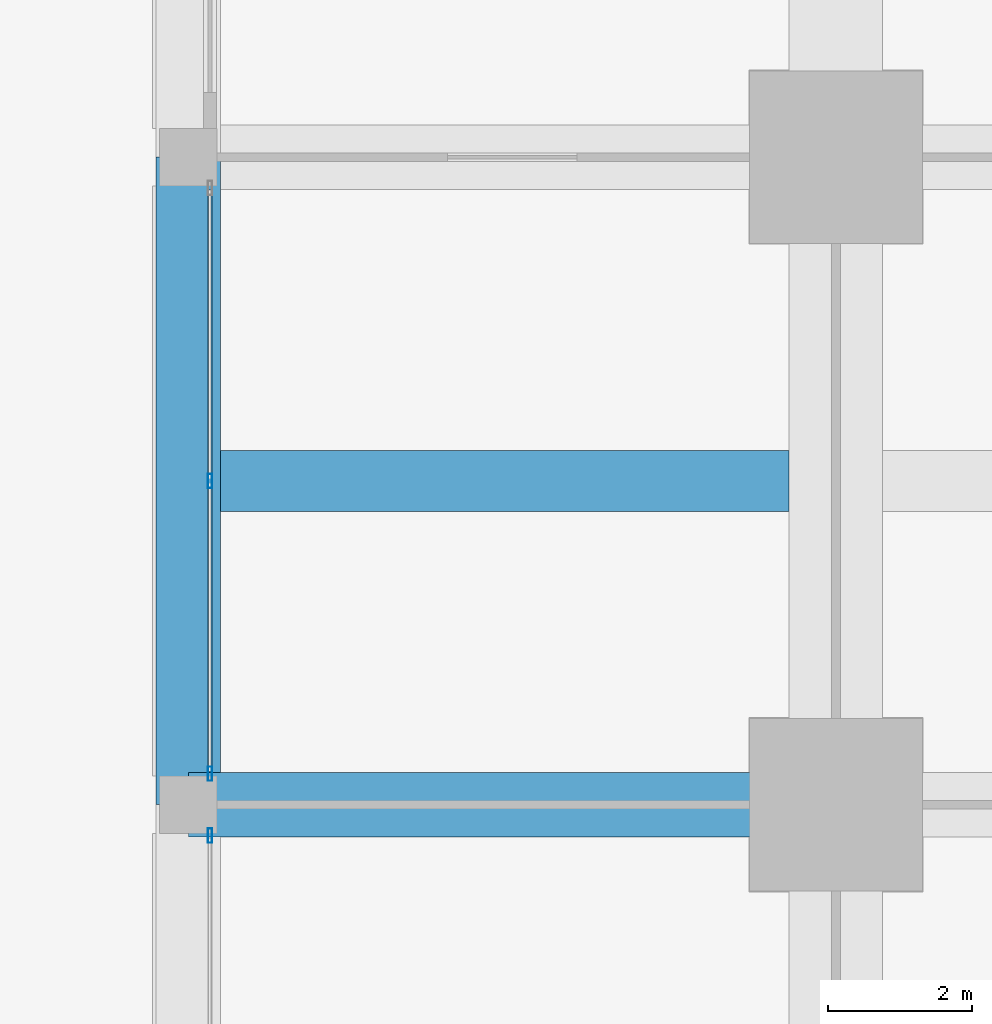
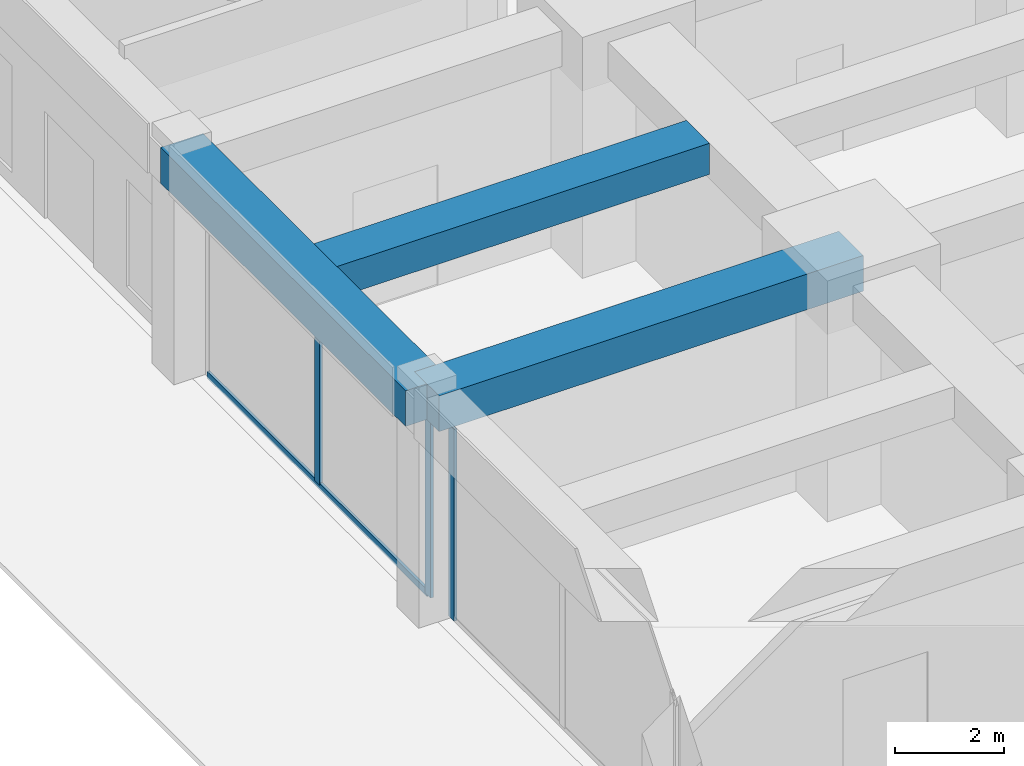
# One storey, part 11 of 56: 4 members, 3 beams, 2 elements without a shape of their own.
"""IFC4 building model written with IfcOpenShell, lengths in metres."""

import ifcopenshell
import ifcopenshell.guid

model = None  # the IFC model being written
_history = None  # IfcOwnerHistory: only IFC2X3 demands one
_inside = {}  # id of a spatial element -> (the spatial element, [elements in it])
_under = {}  # id of a project, library or spatial element -> (it, [spatial elements below it])
_declared = {}  # id of a project -> (the project, [libraries it declares])
_typed = {}  # id of a type object -> (the type object, [elements of that type])
_made_of = {}  # id of a material, layer set ... -> (it, [elements and type objects made of it])


def new_model(schema):
    """Start an empty IFC model of exactly this schema.

    Asked for "IFC4X3", IfcOpenShell would pick the latest addendum, in which some entities
    have other attributes; the version numbers below select the first issue.
    IFC2X3 requires an IfcOwnerHistory on every rooted entity: one is made here for all.
    """
    global model, _history
    if schema == "IFC4X3":
        model = ifcopenshell.file(schema_version=(4, 3, 0, 0))
    else:
        model = ifcopenshell.file(schema=schema)
    _inside.clear()
    _under.clear()
    _declared.clear()
    _typed.clear()
    _made_of.clear()
    _history = None
    if model.schema == "IFC2X3":
        org = make("IfcOrganization", Name="unknown")
        user = make(
            "IfcPersonAndOrganization",
            ThePerson=make("IfcPerson", FamilyName="unknown"),
            TheOrganization=org,
        )
        app = make(
            "IfcApplication",
            ApplicationDeveloper=org,
            Version="unknown",
            ApplicationFullName="unknown",
            ApplicationIdentifier="unknown",
        )
        _history = make(
            "IfcOwnerHistory",
            OwningUser=user,
            OwningApplication=app,
            ChangeAction="ADDED",
            CreationDate=0,
        )
    return model


def make(cls, **values):
    """One entity of the class cls with the attributes given. An attribute that is None is left unset."""
    return model.create_entity(
        cls, **{name: value for name, value in values.items() if value is not None}
    )


def rooted(cls, **values):
    """An entity with a GlobalId (a new one), such as an element, a storey or a relation."""
    return make(cls, GlobalId=ifcopenshell.guid.new(), OwnerHistory=_history, **values)


def si_unit(unit_type, name, prefix=None):
    """IfcSIUnit, for example si_unit("LENGTHUNIT", "METRE", prefix="MILLI")."""
    return make("IfcSIUnit", UnitType=unit_type, Prefix=prefix, Name=name)


def assignment(units):
    """IfcUnitAssignment: the units of a project."""
    return None if units is None else make("IfcUnitAssignment", Units=units)


def point(xyz):
    """IfcCartesianPoint."""
    return None if xyz is None else make("IfcCartesianPoint", Coordinates=xyz)


def direction(xyz):
    """IfcDirection."""
    return None if xyz is None else make("IfcDirection", DirectionRatios=xyz)


def frame(location, z_axis=None, x_axis=None):
    """IfcAxis2Placement3D, a coordinate frame: its origin and axes. An axis left out is left unset."""
    return make(
        "IfcAxis2Placement3D",
        Location=point(location),
        Axis=direction(z_axis),
        RefDirection=direction(x_axis),
    )


def frame_2d(location, x_axis=None):
    """IfcAxis2Placement2D, a coordinate frame in the plane: its origin and x axis."""
    return make(
        "IfcAxis2Placement2D", Location=point(location), RefDirection=direction(x_axis)
    )


def origin():
    """The frame at (0, 0, 0) with its axes left unset."""
    return frame((0.0, 0.0, 0.0))


def origin_2d():
    """The frame at (0, 0) in the plane with its x axis left unset."""
    return frame_2d((0.0, 0.0))


def place(relative_to, where):
    """IfcLocalPlacement: puts the frame where relative to a parent placement (None: the world)."""
    return make(
        "IfcLocalPlacement", PlacementRelTo=relative_to, RelativePlacement=where
    )


def context(
    kind, dimensions, precision=None, world=None, true_north=None, identifier=None
):
    """IfcGeometricRepresentationContext, for example the 3D "Model" context."""
    return make(
        "IfcGeometricRepresentationContext",
        ContextIdentifier=identifier,
        ContextType=kind,
        CoordinateSpaceDimension=dimensions,
        Precision=precision,
        WorldCoordinateSystem=world,
        TrueNorth=true_north,
    )


def subcontext(parent, identifier, kind, view, scale=None):
    """IfcGeometricRepresentationSubContext, for example "Body" below "Model"."""
    return make(
        "IfcGeometricRepresentationSubContext",
        ContextIdentifier=identifier,
        ContextType=kind,
        ParentContext=parent,
        TargetScale=scale,
        TargetView=view,
    )


def project(units=None, contexts=None):
    """IfcProject with its units and contexts."""
    return rooted(
        "IfcProject",
        Name="project",
        RepresentationContexts=contexts,
        UnitsInContext=assignment(units),
    )


def spatial(cls, under=None, at=None, **own):
    """A site, building, storey or space (cls), placed at a placement, below another one or the project."""
    s = rooted(cls, ObjectPlacement=at, **own)
    if under is not None:
        _under.setdefault(under.id(), (under, []))[1].append(s)
    return s


def profile(cls, at=None, kind="AREA", **sizes):
    """A parametric profile (cls). Its sizes go by their IFC names, for example OverallWidth=200.0."""
    return make(cls, ProfileType=kind, Position=at, **sizes)


def rectangle(**sizes):
    """IfcRectangleProfileDef."""
    return profile("IfcRectangleProfileDef", **sizes)


def hollow_rectangle(**sizes):
    """IfcRectangleHollowProfileDef."""
    return profile("IfcRectangleHollowProfileDef", **sizes)


def extrude(swept, where, along, depth):
    """IfcExtrudedAreaSolid: the profile swept, set in the frame where, extruded along a direction by depth."""
    return make(
        "IfcExtrudedAreaSolid",
        SweptArea=swept,
        Position=where,
        ExtrudedDirection=direction(along),
        Depth=depth,
    )


def shape(context_of_items, identifier, shape_type, items):
    """IfcShapeRepresentation: the items that make up one representation, for example the "Body"."""
    return make(
        "IfcShapeRepresentation",
        ContextOfItems=context_of_items,
        RepresentationIdentifier=identifier,
        RepresentationType=shape_type,
        Items=items,
    )


def material(Name=None, Category=None):
    """IfcMaterial."""
    return make("IfcMaterial", Name=Name, Category=Category)


def material_profile(
    of_material, cross_section, Name=None, Category=None, Priority=None
):
    """IfcMaterialProfile: a cross section and its material."""
    return make(
        "IfcMaterialProfile",
        Name=Name,
        Material=of_material,
        Profile=cross_section,
        Priority=Priority,
        Category=Category,
    )


def profile_set(profiles, Name=None, composite=None):
    """IfcMaterialProfileSet."""
    return make(
        "IfcMaterialProfileSet",
        Name=Name,
        MaterialProfiles=profiles,
        CompositeProfile=composite,
    )


def made_of(thing, what):
    """Note that an element or type object is made of a material, layer set ...; save() writes the relation."""
    if what is not None:
        _made_of.setdefault(what.id(), (what, []))[1].append(thing)
    return thing


def type_object(cls, material=None, **own):
    """A type object (cls), such as IfcWallType, which elements share."""
    return made_of(rooted(cls, **own), material)


def element(
    cls,
    number,
    at=None,
    inside=None,
    cuts=None,
    type_object=None,
    material=None,
    context=None,
    identifier="Body",
    shape_type=None,
    held_by="IfcProductDefinitionShape",
    body=None,
    shapes=None,
    **own,
):
    """One element of the class cls, such as IfcWall. Its Tag is "e" and its number.

    at: its placement. inside: the storey or other place that contains it. cuts: it is an
    opening in that element (IfcRelVoidsElement). A single representation is given by context,
    identifier, shape_type and body (its items); several are given by shapes. held_by: the class
    of the entity that holds the representations. save() writes the other relations.
    """
    e = rooted(cls, Tag="e%d" % number, ObjectPlacement=at, **own)
    if body is not None:
        shapes = [shape(context, identifier, shape_type, body)]
    if shapes is not None:
        e.Representation = make(held_by, Representations=shapes)
    if inside is not None:
        _inside.setdefault(inside.id(), (inside, []))[1].append(e)
    if cuts is not None:
        rooted(
            "IfcRelVoidsElement", RelatingBuildingElement=cuts, RelatedOpeningElement=e
        )
    if type_object is not None:
        _typed.setdefault(type_object.id(), (type_object, []))[1].append(e)
    return made_of(e, material)


def aggregate(whole, parts):
    """IfcRelAggregates: a whole, such as a stair, and the parts it consists of."""
    return rooted("IfcRelAggregates", RelatingObject=whole, RelatedObjects=parts)


def save(model, path):
    """Write the relations noted so far, then the file.

    IfcRelAggregates (storeys below a building ...), IfcRelContainedInSpatialStructure (elements
    in a storey), IfcRelDefinesByType, IfcRelAssociatesMaterial and IfcRelDeclares: one each for
    every whole, place, type object, material and project.
    """
    for whole, parts in _under.values():
        aggregate(whole, parts)
    for where, things in _inside.values():
        rooted(
            "IfcRelContainedInSpatialStructure",
            RelatedElements=things,
            RelatingStructure=where,
        )
    for kind, things in _typed.values():
        rooted("IfcRelDefinesByType", RelatedObjects=things, RelatingType=kind)
    for what, things in _made_of.values():
        rooted("IfcRelAssociatesMaterial", RelatedObjects=things, RelatingMaterial=what)
    for by, libraries in _declared.values():
        rooted("IfcRelDeclares", RelatingContext=by, RelatedDefinitions=libraries)
    model.write(path)


model = new_model("IFC4")

# Units and contexts
model_context = context("Model", 3, precision=1e-05, world=origin(), true_north=direction((0.0, 1.0)))
body_context = subcontext(model_context, "Body", "Model", "MODEL_VIEW")
ifc_project = project(units=[si_unit("LENGTHUNIT", "METRE"), si_unit("AREAUNIT", "SQUARE_METRE"), si_unit("VOLUMEUNIT", "CUBIC_METRE"), si_unit("PLANEANGLEUNIT", "RADIAN"), si_unit("MASSUNIT", "GRAM", prefix="KILO")], contexts=[model_context])

# Site, building, storey
site_placement = place(None, origin())
site = spatial("IfcSite", under=ifc_project, at=site_placement, CompositionType="ELEMENT")
building_placement = place(site_placement, origin())
building = spatial("IfcBuilding", under=site, at=building_placement, Name="Zorevar Civic Tower", CompositionType="ELEMENT")
storey_placement = place(building_placement, origin())
storey = spatial("IfcBuildingStorey", under=building, at=storey_placement, Name="L00", CompositionType="ELEMENT", Elevation=0.0)

# Beams
ifc_material_1 = material(Name="Concrete C50/60", Category="concrete")
ifc_material_profile_1 = material_profile(ifc_material_1, rectangle(XDim=0.85009765625, YDim=0.699951171875, at=origin_2d()), Name="RC 850x700")
ifc_profile_set_1 = profile_set([ifc_material_profile_1], Name="Concrete C50/60")
beam_type_1 = type_object("IfcBeamType", Name="Beam RC 850x700", PredefinedType="BEAM", material=ifc_profile_set_1)
beam_1_placement = place(storey_placement, frame((-8.550048828125, 31.5, 4.75), z_axis=(1.0, 0.0, 0.0), x_axis=(0.0, 1.0, 0.0)))
element("IfcBeam", 1, at=beam_1_placement, inside=storey, type_object=beam_type_1, Name="Secondary beam L01", PredefinedType="BEAM", context=body_context, shape_type="SweptSolid", body=[
    extrude(rectangle(XDim=0.85009765625, YDim=0.699951171875, at=origin_2d()), origin(), (0.0, 0.0, 1.0), 7.900146484375),
])
ifc_material_2 = material(Name="Concrete C50/60", Category="concrete")
ifc_material_profile_2 = material_profile(ifc_material_2, rectangle(XDim=0.89990234375, YDim=0.800048828125, at=origin_2d()), Name="RC 900x800")
ifc_profile_set_2 = profile_set([ifc_material_profile_2], Name="Concrete C50/60")
beam_type_2 = type_object("IfcBeamType", Name="Beam RC 900x800", PredefinedType="BEAM", material=ifc_profile_set_2)
beam_2_placement = place(storey_placement, frame((-9.0, 27.0, 4.699951171875), z_axis=(1.0, 0.0, 0.0), x_axis=(0.0, 1.0, 0.0)))
element("IfcBeam", 2, at=beam_2_placement, inside=storey, type_object=beam_type_2, Name="Girder L01", PredefinedType="BEAM", context=body_context, shape_type="SweptSolid", body=[
    extrude(rectangle(XDim=0.89990234375, YDim=0.800048828125, at=origin_2d()), origin(), (0.0, 0.0, 1.0), 9.0),
])

# Curtain wall, member
ifc_material_3 = material(Name="Dark grey solar-control glass in black aluminium frame", Category="aluminium")
curtain_wall_type = type_object("IfcCurtainWallType", Name="Curtain wall CW1 podium", PredefinedType="NOTDEFINED", material=ifc_material_3)
curtain_wall_1_placement = place(storey_placement, origin())
curtain_wall_1 = element("IfcCurtainWall", 3, at=curtain_wall_1_placement, inside=storey, type_object=curtain_wall_type, Name="CW1 L00", PredefinedType="NOTDEFINED")
ifc_material_4 = material(Name="Aluminium, black anodised", Category="aluminium")
ifc_material_profile_3 = material_profile(ifc_material_4, hollow_rectangle(XDim=0.06005859375, YDim=0.199951171875, WallThickness=0.00390625, at=origin_2d()), Name="AL 200x60x4")
ifc_profile_set_3 = profile_set([ifc_material_profile_3], Name="Aluminium, black anodised")
member_type_1 = type_object("IfcMemberType", Name="CW1 mullion AL 200x60x4", PredefinedType="MULLION", material=ifc_profile_set_3)
member_1_placement = place(storey_placement, frame((-8.699951171875, 26.570068359375, 0.0), z_axis=(0.0, 0.0, 1.0), x_axis=(-1.0, 0.0, 0.0)))
member_1 = element("IfcMember", 4, at=member_1_placement, type_object=member_type_1, Name="CW1 mullion 3", PredefinedType="MULLION", context=body_context, shape_type="SweptSolid", body=[
    extrude(hollow_rectangle(XDim=0.06005859375, YDim=0.199951171875, WallThickness=0.00390625, at=origin_2d()), origin(), (0.0, 0.0, 1.0), 4.300048828125),
])
aggregate(curtain_wall_1, [member_1])

# Curtain wall, members
curtain_wall_2_placement = place(storey_placement, origin())
curtain_wall_2 = element("IfcCurtainWall", 5, at=curtain_wall_2_placement, inside=storey, type_object=curtain_wall_type, Name="CW1 L00", PredefinedType="NOTDEFINED")
member_2_placement = place(storey_placement, frame((-8.699951171875, 27.429931640625, 0.0), z_axis=(0.0, 0.0, 1.0), x_axis=(-1.0, 0.0, 0.0)))
member_2 = element("IfcMember", 6, at=member_2_placement, type_object=member_type_1, Name="CW1 mullion 1", PredefinedType="MULLION", context=body_context, shape_type="SweptSolid", body=[
    extrude(hollow_rectangle(XDim=0.06005859375, YDim=0.199951171875, WallThickness=0.00390625, at=origin_2d()), origin(), (0.0, 0.0, 1.0), 4.300048828125),
])
member_3_placement = place(storey_placement, frame((-8.699951171875, 31.5, 0.06005859375), z_axis=(0.0, 0.0, 1.0), x_axis=(-1.0, 0.0, 0.0)))
member_3 = element("IfcMember", 7, at=member_3_placement, type_object=member_type_1, Name="CW1 mullion 2", PredefinedType="MULLION", context=body_context, shape_type="SweptSolid", body=[
    extrude(hollow_rectangle(XDim=0.06005859375, YDim=0.199951171875, WallThickness=0.00390625, at=origin_2d()), origin(), (0.0, 0.0, 1.0), 4.239990234375),
])
ifc_material_5 = material(Name="Aluminium, black anodised", Category="aluminium")
ifc_material_profile_4 = material_profile(ifc_material_5, hollow_rectangle(XDim=0.06005859375, YDim=0.14990234375, WallThickness=0.00390625, at=origin_2d()), Name="AL 150x60x4")
ifc_profile_set_4 = profile_set([ifc_material_profile_4], Name="Aluminium, black anodised")
member_type_2 = type_object("IfcMemberType", Name="CW1 transom AL 150x60x4", PredefinedType="USERDEFINED", material=ifc_profile_set_4)
member_4_placement = place(storey_placement, frame((-8.699951171875, 27.4599609375, 0.030029296875), z_axis=(0.0, 1.0, 0.0), x_axis=(-1.0, 0.0, 0.0)))
member_4 = element("IfcMember", 8, at=member_4_placement, type_object=member_type_2, Name="CW1 sill transom", ObjectType="TRANSOM", PredefinedType="USERDEFINED", context=body_context, shape_type="SweptSolid", body=[
    extrude(hollow_rectangle(XDim=0.06005859375, YDim=0.14990234375, WallThickness=0.00390625, at=origin_2d()), origin(), (0.0, 0.0, 1.0), 8.080078125),
])
aggregate(curtain_wall_2, [member_2, member_3, member_4])

# Beam
ifc_material_6 = material(Name="Concrete C50/60", Category="concrete")
ifc_material_profile_5 = material_profile(ifc_material_6, rectangle(XDim=0.89990234375, YDim=0.800048828125, at=origin_2d()), Name="RC 900x800")
ifc_profile_set_5 = profile_set([ifc_material_profile_5], Name="Concrete C50/60")
beam_type_3 = type_object("IfcBeamType", Name="Edge beam RC 900x800", PredefinedType="SPANDREL", material=ifc_profile_set_5)
beam_3_placement = place(storey_placement, frame((-9.0, 27.0, 4.699951171875), z_axis=(0.0, 1.0, 0.0), x_axis=(-1.0, 0.0, 0.0)))
element("IfcBeam", 9, at=beam_3_placement, inside=storey, type_object=beam_type_3, Name="Edge beam L01", PredefinedType="SPANDREL", context=body_context, shape_type="SweptSolid", body=[
    extrude(rectangle(XDim=0.89990234375, YDim=0.800048828125, at=origin_2d()), origin(), (0.0, 0.0, 1.0), 9.0),
])

save(model, "model.ifc")
